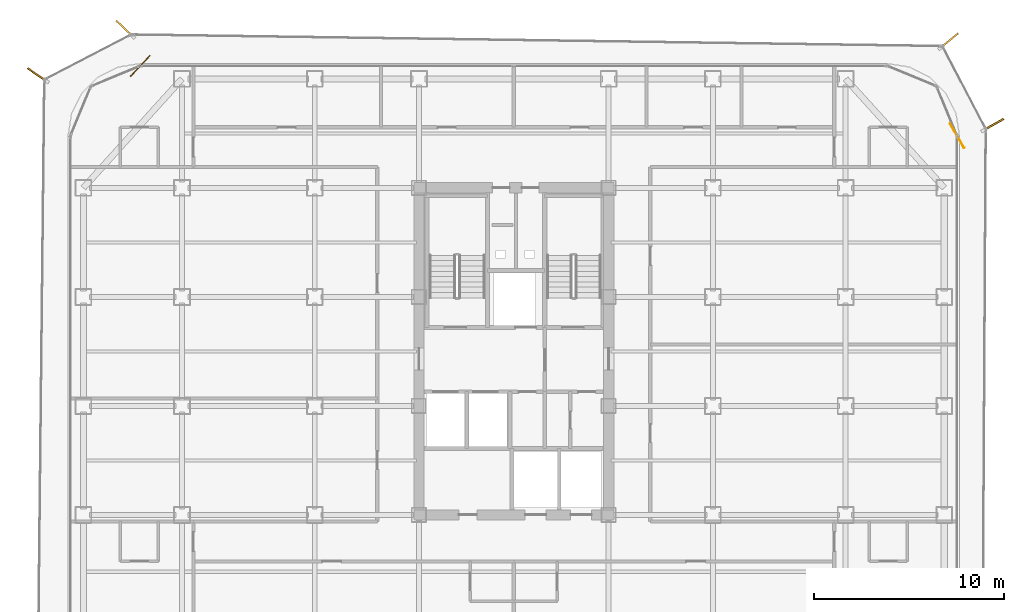
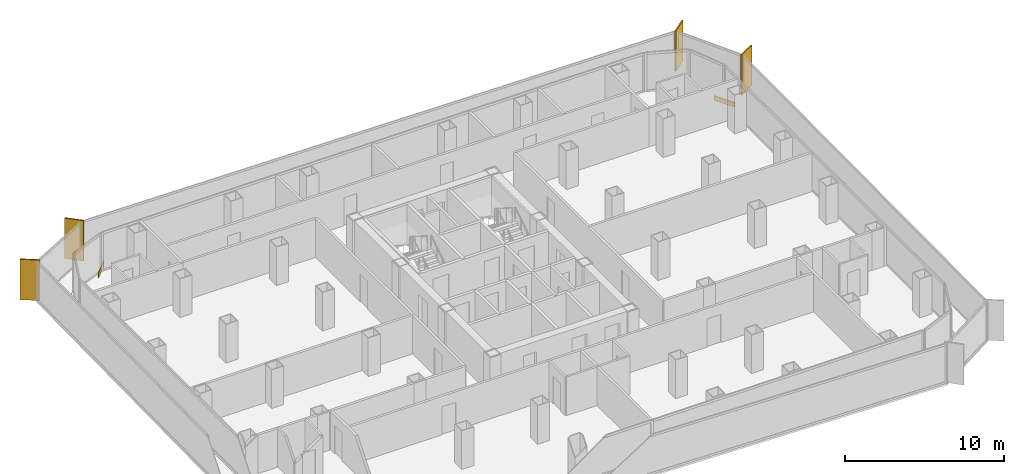
# One storey, part 21 of 21: 4 shading devices, 2 coverings.
"""IFC4 building model written with IfcOpenShell, lengths in metres."""

from ifc_helpers import new_model, si_unit, direction, frame, origin, origin_2d, place, context, subcontext, project, spatial, rectangle, extrude, source, transform, mapped, material, layer, layer_set, type_object, element, save


model = new_model("IFC4")

# Units and contexts
model_context = context("Model", 3, precision=1e-05, world=origin(), true_north=direction((0.0, 1.0)))
body_context = subcontext(model_context, "Body", "Model", "MODEL_VIEW")
ifc_project = project(units=[si_unit("LENGTHUNIT", "METRE"), si_unit("AREAUNIT", "SQUARE_METRE"), si_unit("VOLUMEUNIT", "CUBIC_METRE"), si_unit("PLANEANGLEUNIT", "RADIAN"), si_unit("MASSUNIT", "GRAM", prefix="KILO")], contexts=[model_context])

# Site, building, storey
site_placement = place(None, origin())
site = spatial("IfcSite", under=ifc_project, at=site_placement, CompositionType="ELEMENT")
building_placement = place(site_placement, origin())
building = spatial("IfcBuilding", under=site, at=building_placement, Name="Kolveth Station Tower", CompositionType="ELEMENT")
storey_placement = place(building_placement, frame((0.0, 0.0, 131.10009765625)))
storey = spatial("IfcBuildingStorey", under=building, at=storey_placement, Name="L36", CompositionType="ELEMENT", Elevation=131.10009765625)

# Shading devices
ifc_material_1 = material(Name="Black anodized aluminium 6063-T6", Category="aluminium")
shading_device_type = type_object("IfcShadingDeviceType", Name="FIN_VF1", PredefinedType="USERDEFINED", material=ifc_material_1)
shared_shape_1 = source(origin(), body_context, "Body", "SweptSolid", [
    extrude(rectangle(XDim=1.25, YDim=0.090087890625, at=origin_2d()), origin(), (0.0, 0.0, 1.0), 3.10009765625),
])
for number, where, z_axis, x_axis, name in (
    (1, (48.7880859375, 32.0791015625, -0.000244140625), (0.0, 0.0, 1.0), (0.868545027358, 0.495610265685, 0.0), "L36 Dark-Aluminium Solar Fin 3"),
    (2, (46.45703125, 36.509033203125, -0.000244140625), (0.0, 0.0, 1.0), (0.772733573497, 0.634730513202, 0.0), "L36 Dark-Aluminium Solar Fin 4"),
    (3, (2.987060546875, 37.14111328125, -0.000244140625), (0.0, 0.0, 1.0), (-0.724893632131, 0.688860814748, 0.0), "L36 Dark-Aluminium Solar Fin 5"),
    (4, (-1.625, 34.7080078125, -0.000244140625), (0.0, 0.0, 1.0), (-0.827374767055, 0.561650242447, 0.0), "L36 Dark-Aluminium Solar Fin 6"),
):
    element("IfcShadingDevice", number, at=place(storey_placement, frame(where, z_axis=z_axis, x_axis=x_axis)), inside=storey, type_object=shading_device_type, Name=name, ObjectType="FIN", PredefinedType="USERDEFINED", context=body_context, shape_type="MappedRepresentation", body=[
        mapped(shared_shape_1, transform((0.0, 0.0, 0.0), x_axis=(1.0, 0.0, 0.0), y_axis=(0.0, 1.0, 0.0), z_axis=(0.0, 0.0, 1.0), scale=1.0)),
    ])

# Coverings
ifc_material_2 = material(Name="Charcoal anodized aluminium spandrel cladding", Category="aluminium")
ifc_layer = layer(ifc_material_2, 0.044921875)
ifc_layer_set = layer_set([ifc_layer], Name="Charcoal anodized aluminium spandrel cladding")
covering_type = type_object("IfcCoveringType", Name="Clad_CD1", PredefinedType="CLADDING", material=ifc_layer_set)
shared_shape_2 = source(origin(), body_context, "Body", "SweptSolid", [
    extrude(rectangle(XDim=1.5, YDim=0.044921875, at=origin_2d()), origin(), (0.0, 0.0, 1.0), 0.360107421875),
])
for number, where, z_axis, x_axis, name in (
    (5, (46.8798828125, 31.5, 0.0), (0.0, 0.0, 1.0), (-0.495610265685, 0.868545027358, 0.0), "L36 Spandrel Edge Cladding 3"),
    (6, (3.800048828125, 35.179931640625, 0.0), (0.0, 0.0, 1.0), (-0.688860814748, -0.724893632131, 0.0), "L36 Spandrel Edge Cladding 5"),
):
    element("IfcCovering", number, at=place(storey_placement, frame(where, z_axis=z_axis, x_axis=x_axis)), inside=storey, type_object=covering_type, Name=name, PredefinedType="CLADDING", context=body_context, shape_type="MappedRepresentation", body=[
        mapped(shared_shape_2, transform((0.0, 0.0, 0.0), x_axis=(1.0, 0.0, 0.0), y_axis=(0.0, 1.0, 0.0), z_axis=(0.0, 0.0, 1.0), scale=1.0)),
    ])

save(model, "model.ifc")
